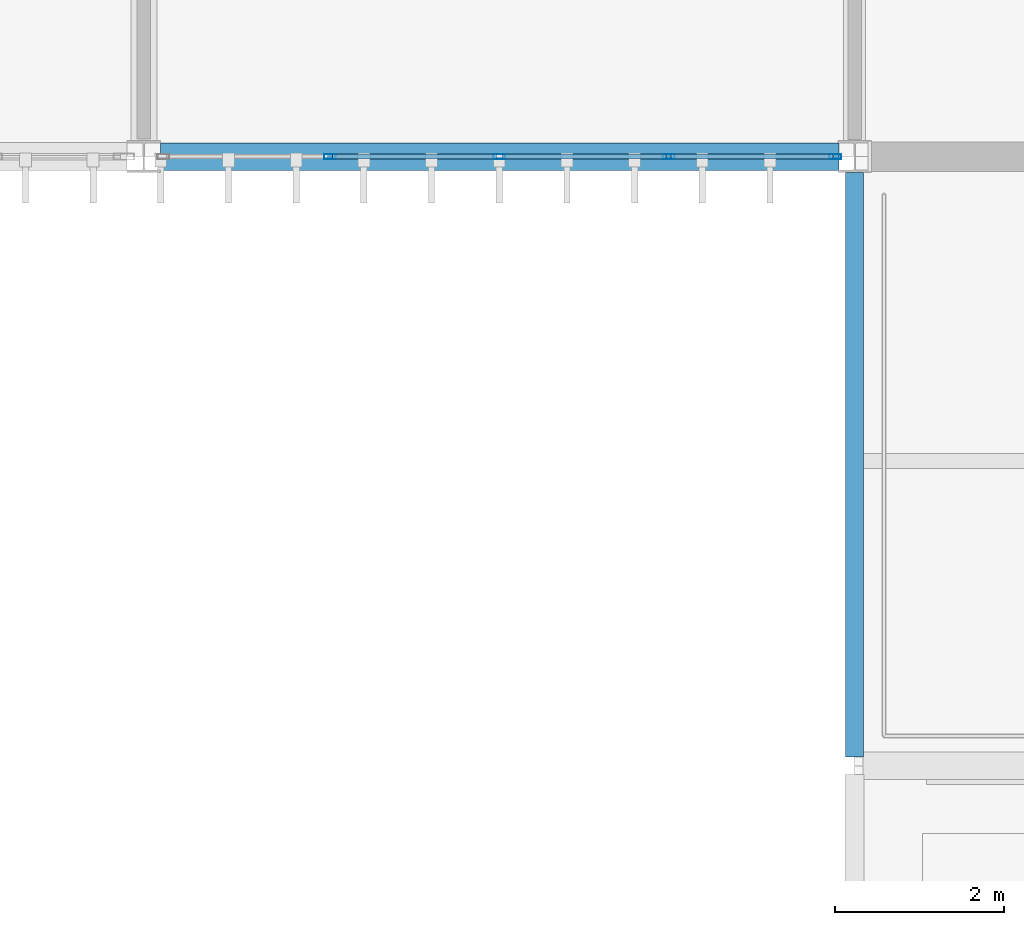
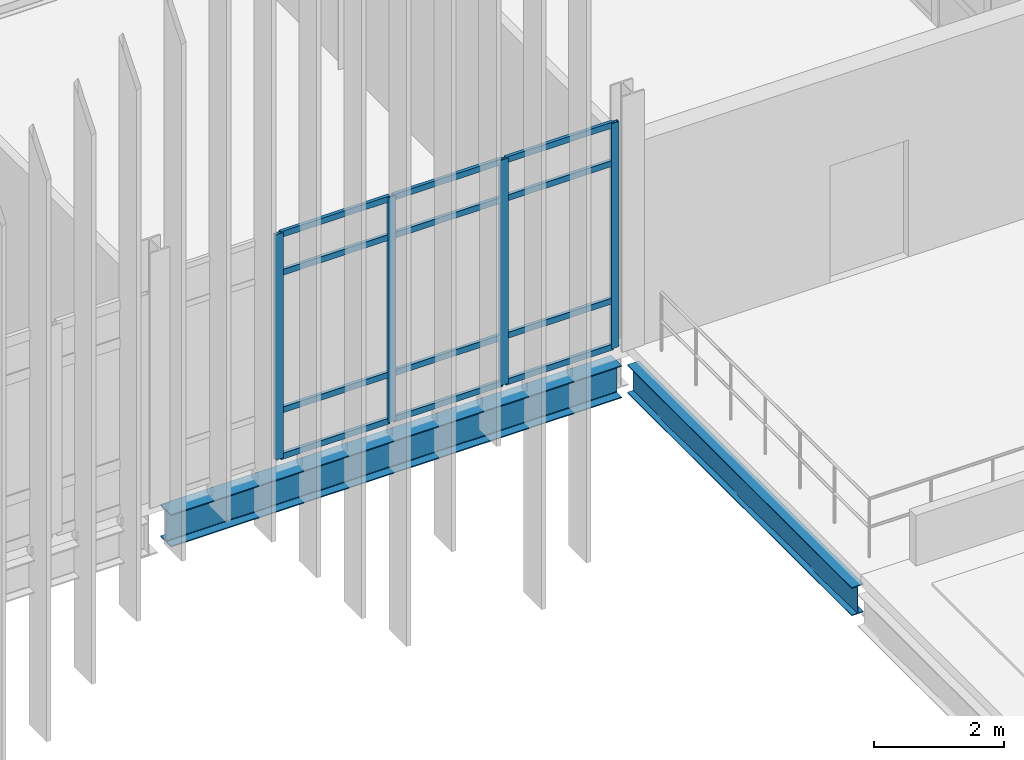
# One storey, part 35 of 153: 16 members, 2 beams, 1 element without a shape of its own.
"""IFC4 building model written with IfcOpenShell, lengths in metres."""

from ifc_helpers import new_model, si_unit, direction, frame, origin, origin_2d, place, context, subcontext, project, spatial, hollow_rectangle, i_section, extrude, material, layer, layer_set, material_profile, profile_set, type_object, element, aggregate, save


model = new_model("IFC4")

# Units and contexts
model_context = context("Model", 3, precision=1e-05, world=origin(), true_north=direction((0.0, 1.0)))
body_context = subcontext(model_context, "Body", "Model", "MODEL_VIEW")
ifc_project = project(units=[si_unit("LENGTHUNIT", "METRE"), si_unit("AREAUNIT", "SQUARE_METRE"), si_unit("VOLUMEUNIT", "CUBIC_METRE"), si_unit("PLANEANGLEUNIT", "RADIAN"), si_unit("MASSUNIT", "GRAM", prefix="KILO")], contexts=[model_context])

# Site, building, storey
site_placement = place(None, origin())
site = spatial("IfcSite", under=ifc_project, at=site_placement, CompositionType="ELEMENT")
building_placement = place(site_placement, origin())
building = spatial("IfcBuilding", under=site, at=building_placement, Name="Calvrana Isthmian Art Gallery", CompositionType="ELEMENT")
storey_placement = place(building_placement, frame((0.0, 0.0, 10.199951171875)))
storey = spatial("IfcBuildingStorey", under=building, at=storey_placement, Name="L02", CompositionType="ELEMENT", Elevation=10.199951171875)

# Beams
ifc_material_1 = material(Name="Steel ASTM A992 Gr 50", Category="steel")
ifc_material_profile_1 = material_profile(ifc_material_1, i_section(OverallWidth=0.208984375, OverallDepth=0.532958984375, WebThickness=0.01025390625, FlangeThickness=0.015625, FilletRadius=0.02099609375, at=origin_2d()), Name="W21X62")
ifc_profile_set_1 = profile_set([ifc_material_profile_1], Name="Steel ASTM A992 Gr 50")
beam_type_1 = type_object("IfcBeamType", Name="BM-G-W21X62", PredefinedType="BEAM", material=ifc_profile_set_1)
beam_1_placement = place(storey_placement, frame((72.0, 14.501708984375, -0.531494140625), z_axis=(0.0, 1.0, 0.0), x_axis=(-1.0, 0.0, 0.0)))
element("IfcBeam", 1, at=beam_1_placement, inside=storey, type_object=beam_type_1, Name="Girder Y L02 10/C-D", PredefinedType="BEAM", context=body_context, shape_type="SweptSolid", body=[
    extrude(i_section(OverallWidth=0.208984375, OverallDepth=0.532958984375, WebThickness=0.01025390625, FlangeThickness=0.015625, FilletRadius=0.02099609375, at=origin_2d()), origin(), (0.0, 0.0, 1.0), 6.911865234375),
])
ifc_material_profile_2 = material_profile(ifc_material_1, i_section(OverallWidth=0.324951171875, OverallDepth=0.612060546875, WebThickness=0.0126953125, FlangeThickness=0.01904296875, FilletRadius=0.02197265625, at=origin_2d()), Name="W24X104")
ifc_profile_set_2 = profile_set([ifc_material_profile_2], Name="Steel ASTM A992 Gr 50")
beam_type_2 = type_object("IfcBeamType", Name="BM-G-W24X104", PredefinedType="BEAM", material=ifc_profile_set_2)
beam_2_placement = place(storey_placement, frame((63.797119140625, 21.60009765625, -0.571044921875), z_axis=(1.0, 0.0, 0.0), x_axis=(0.0, 1.0, 0.0)))
element("IfcBeam", 2, at=beam_2_placement, inside=storey, type_object=beam_type_2, Name="Girder X L02 09-10/D", PredefinedType="BEAM", context=body_context, shape_type="SweptSolid", body=[
    extrude(i_section(OverallWidth=0.324951171875, OverallDepth=0.612060546875, WebThickness=0.0126953125, FlangeThickness=0.01904296875, FilletRadius=0.02197265625, at=origin_2d()), origin(), (0.0, 0.0, 1.0), 8.016357421875),
])

# Curtain wall, members
ifc_material_2 = material(Name="Anodized bronze aluminium 6063-T6", Category="aluminium")
ifc_layer = layer(ifc_material_2, 0.179931640625, Name="Anodized bronze aluminium 6063-T6")
ifc_layer_set = layer_set([ifc_layer], Name="Anodized bronze aluminium 6063-T6")
curtain_wall_type = type_object("IfcCurtainWallType", Name="CW-UNIT-080X42", PredefinedType="USERDEFINED", material=ifc_layer_set)
curtain_wall_placement = place(storey_placement, origin())
curtain_wall = element("IfcCurtainWall", 3, at=curtain_wall_placement, inside=storey, type_object=curtain_wall_type, Name="Curtain wall CW-150", ObjectType="UNITISED CURTAIN WALL", PredefinedType="USERDEFINED")
ifc_material_profile_3 = material_profile(ifc_material_2, hollow_rectangle(XDim=0.06005859375, YDim=0.139892578125, WallThickness=0.00390625, at=origin_2d()), Name="CWM60X140")
ifc_profile_set_3 = profile_set([ifc_material_profile_3], Name="Anodized bronze aluminium 6063-T6")
member_type_1 = type_object("IfcMemberType", Name="CWM-CWM60X140", PredefinedType="MULLION", material=ifc_profile_set_3)
member_1_placement = place(storey_placement, frame((71.77294921875, 21.60009765625, 0.0), z_axis=(0.0, 0.0, 1.0), x_axis=(0.0, -1.0, 0.0)))
member_1 = element("IfcMember", 4, at=member_1_placement, type_object=member_type_1, Name="CW-150 mullion 1", PredefinedType="MULLION", context=body_context, shape_type="SweptSolid", body=[
    extrude(hollow_rectangle(XDim=0.06005859375, YDim=0.139892578125, WallThickness=0.00390625, at=origin_2d()), origin(), (0.0, 0.0, 1.0), 4.2353515625),
])
member_2_placement = place(storey_placement, frame((69.8017578125, 21.60009765625, 0.0), z_axis=(0.0, 0.0, 1.0), x_axis=(0.0, -1.0, 0.0)))
member_2 = element("IfcMember", 5, at=member_2_placement, type_object=member_type_1, Name="CW-150 mullion 2", PredefinedType="MULLION", context=body_context, shape_type="SweptSolid", body=[
    extrude(hollow_rectangle(XDim=0.06005859375, YDim=0.139892578125, WallThickness=0.00390625, at=origin_2d()), origin(), (0.0, 0.0, 1.0), 4.2353515625),
])
member_3_placement = place(storey_placement, frame((67.800537109375, 21.60009765625, 0.0), z_axis=(0.0, 0.0, 1.0), x_axis=(0.0, -1.0, 0.0)))
member_3 = element("IfcMember", 6, at=member_3_placement, type_object=member_type_1, Name="CW-150 mullion 3", PredefinedType="MULLION", context=body_context, shape_type="SweptSolid", body=[
    extrude(hollow_rectangle(XDim=0.06005859375, YDim=0.139892578125, WallThickness=0.00390625, at=origin_2d()), origin(), (0.0, 0.0, 1.0), 4.2353515625),
])
member_4_placement = place(storey_placement, frame((65.79931640625, 21.60009765625, 0.0), z_axis=(0.0, 0.0, 1.0), x_axis=(0.0, -1.0, 0.0)))
member_4 = element("IfcMember", 7, at=member_4_placement, type_object=member_type_1, Name="CW-150 mullion 4", PredefinedType="MULLION", context=body_context, shape_type="SweptSolid", body=[
    extrude(hollow_rectangle(XDim=0.06005859375, YDim=0.139892578125, WallThickness=0.00390625, at=origin_2d()), origin(), (0.0, 0.0, 1.0), 4.2353515625),
])
ifc_material_profile_4 = material_profile(ifc_material_2, hollow_rectangle(XDim=0.06005859375, YDim=0.110107421875, WallThickness=0.00341796875, at=origin_2d()), Name="CWT60X110")
ifc_profile_set_4 = profile_set([ifc_material_profile_4], Name="Anodized bronze aluminium 6063-T6")
member_type_2 = type_object("IfcMemberType", Name="CWT-CWT60X110", PredefinedType="USERDEFINED", material=ifc_profile_set_4)
member_5_placement = place(storey_placement, frame((71.742919921875, 21.60009765625, 0.030029296875), z_axis=(-1.0, 0.0, 0.0), x_axis=(0.0, -1.0, 0.0)))
member_5 = element("IfcMember", 8, at=member_5_placement, type_object=member_type_2, Name="CW-150 transom 1.1", ObjectType="TRANSOM", PredefinedType="USERDEFINED", context=body_context, shape_type="SweptSolid", body=[
    extrude(hollow_rectangle(XDim=0.06005859375, YDim=0.110107421875, WallThickness=0.00341796875, at=origin_2d()), origin(), (0.0, 0.0, 1.0), 1.9111328125),
])
member_6_placement = place(storey_placement, frame((71.742919921875, 21.60009765625, 0.900146484375), z_axis=(-1.0, 0.0, 0.0), x_axis=(0.0, -1.0, 0.0)))
member_6 = element("IfcMember", 9, at=member_6_placement, type_object=member_type_2, Name="CW-150 transom 1.2", ObjectType="TRANSOM", PredefinedType="USERDEFINED", context=body_context, shape_type="SweptSolid", body=[
    extrude(hollow_rectangle(XDim=0.06005859375, YDim=0.110107421875, WallThickness=0.00341796875, at=origin_2d()), origin(), (0.0, 0.0, 1.0), 1.9111328125),
])
member_7_placement = place(storey_placement, frame((71.742919921875, 21.60009765625, 3.4853515625), z_axis=(-1.0, 0.0, 0.0), x_axis=(0.0, -1.0, 0.0)))
member_7 = element("IfcMember", 10, at=member_7_placement, type_object=member_type_2, Name="CW-150 transom 1.3", ObjectType="TRANSOM", PredefinedType="USERDEFINED", context=body_context, shape_type="SweptSolid", body=[
    extrude(hollow_rectangle(XDim=0.06005859375, YDim=0.110107421875, WallThickness=0.00341796875, at=origin_2d()), origin(), (0.0, 0.0, 1.0), 1.9111328125),
])
member_8_placement = place(storey_placement, frame((71.742919921875, 21.60009765625, 4.205322265625), z_axis=(-1.0, 0.0, 0.0), x_axis=(0.0, -1.0, 0.0)))
member_8 = element("IfcMember", 11, at=member_8_placement, type_object=member_type_2, Name="CW-150 transom 1.4", ObjectType="TRANSOM", PredefinedType="USERDEFINED", context=body_context, shape_type="SweptSolid", body=[
    extrude(hollow_rectangle(XDim=0.06005859375, YDim=0.110107421875, WallThickness=0.00341796875, at=origin_2d()), origin(), (0.0, 0.0, 1.0), 1.9111328125),
])
member_9_placement = place(storey_placement, frame((69.771728515625, 21.60009765625, 0.030029296875), z_axis=(-1.0, 0.0, 0.0), x_axis=(0.0, -1.0, 0.0)))
member_9 = element("IfcMember", 12, at=member_9_placement, type_object=member_type_2, Name="CW-150 transom 2.1", ObjectType="TRANSOM", PredefinedType="USERDEFINED", context=body_context, shape_type="SweptSolid", body=[
    extrude(hollow_rectangle(XDim=0.06005859375, YDim=0.110107421875, WallThickness=0.00341796875, at=origin_2d()), origin(), (0.0, 0.0, 1.0), 1.941162109375),
])
member_10_placement = place(storey_placement, frame((69.771728515625, 21.60009765625, 0.900146484375), z_axis=(-1.0, 0.0, 0.0), x_axis=(0.0, -1.0, 0.0)))
member_10 = element("IfcMember", 13, at=member_10_placement, type_object=member_type_2, Name="CW-150 transom 2.2", ObjectType="TRANSOM", PredefinedType="USERDEFINED", context=body_context, shape_type="SweptSolid", body=[
    extrude(hollow_rectangle(XDim=0.06005859375, YDim=0.110107421875, WallThickness=0.00341796875, at=origin_2d()), origin(), (0.0, 0.0, 1.0), 1.941162109375),
])
member_11_placement = place(storey_placement, frame((69.771728515625, 21.60009765625, 3.4853515625), z_axis=(-1.0, 0.0, 0.0), x_axis=(0.0, -1.0, 0.0)))
member_11 = element("IfcMember", 14, at=member_11_placement, type_object=member_type_2, Name="CW-150 transom 2.3", ObjectType="TRANSOM", PredefinedType="USERDEFINED", context=body_context, shape_type="SweptSolid", body=[
    extrude(hollow_rectangle(XDim=0.06005859375, YDim=0.110107421875, WallThickness=0.00341796875, at=origin_2d()), origin(), (0.0, 0.0, 1.0), 1.941162109375),
])
member_12_placement = place(storey_placement, frame((69.771728515625, 21.60009765625, 4.205322265625), z_axis=(-1.0, 0.0, 0.0), x_axis=(0.0, -1.0, 0.0)))
member_12 = element("IfcMember", 15, at=member_12_placement, type_object=member_type_2, Name="CW-150 transom 2.4", ObjectType="TRANSOM", PredefinedType="USERDEFINED", context=body_context, shape_type="SweptSolid", body=[
    extrude(hollow_rectangle(XDim=0.06005859375, YDim=0.110107421875, WallThickness=0.00341796875, at=origin_2d()), origin(), (0.0, 0.0, 1.0), 1.941162109375),
])
member_13_placement = place(storey_placement, frame((67.7705078125, 21.60009765625, 0.030029296875), z_axis=(-1.0, 0.0, 0.0), x_axis=(0.0, -1.0, 0.0)))
member_13 = element("IfcMember", 16, at=member_13_placement, type_object=member_type_2, Name="CW-150 transom 3.1", ObjectType="TRANSOM", PredefinedType="USERDEFINED", context=body_context, shape_type="SweptSolid", body=[
    extrude(hollow_rectangle(XDim=0.06005859375, YDim=0.110107421875, WallThickness=0.00341796875, at=origin_2d()), origin(), (0.0, 0.0, 1.0), 1.941162109375),
])
member_14_placement = place(storey_placement, frame((67.7705078125, 21.60009765625, 0.900146484375), z_axis=(-1.0, 0.0, 0.0), x_axis=(0.0, -1.0, 0.0)))
member_14 = element("IfcMember", 17, at=member_14_placement, type_object=member_type_2, Name="CW-150 transom 3.2", ObjectType="TRANSOM", PredefinedType="USERDEFINED", context=body_context, shape_type="SweptSolid", body=[
    extrude(hollow_rectangle(XDim=0.06005859375, YDim=0.110107421875, WallThickness=0.00341796875, at=origin_2d()), origin(), (0.0, 0.0, 1.0), 1.941162109375),
])
member_15_placement = place(storey_placement, frame((67.7705078125, 21.60009765625, 3.4853515625), z_axis=(-1.0, 0.0, 0.0), x_axis=(0.0, -1.0, 0.0)))
member_15 = element("IfcMember", 18, at=member_15_placement, type_object=member_type_2, Name="CW-150 transom 3.3", ObjectType="TRANSOM", PredefinedType="USERDEFINED", context=body_context, shape_type="SweptSolid", body=[
    extrude(hollow_rectangle(XDim=0.06005859375, YDim=0.110107421875, WallThickness=0.00341796875, at=origin_2d()), origin(), (0.0, 0.0, 1.0), 1.941162109375),
])
member_16_placement = place(storey_placement, frame((67.7705078125, 21.60009765625, 4.205322265625), z_axis=(-1.0, 0.0, 0.0), x_axis=(0.0, -1.0, 0.0)))
member_16 = element("IfcMember", 19, at=member_16_placement, type_object=member_type_2, Name="CW-150 transom 3.4", ObjectType="TRANSOM", PredefinedType="USERDEFINED", context=body_context, shape_type="SweptSolid", body=[
    extrude(hollow_rectangle(XDim=0.06005859375, YDim=0.110107421875, WallThickness=0.00341796875, at=origin_2d()), origin(), (0.0, 0.0, 1.0), 1.941162109375),
])
aggregate(curtain_wall, [member_1, member_2, member_3, member_4, member_5, member_6, member_7, member_8, member_9, member_10, member_11, member_12, member_13, member_14, member_15, member_16])

save(model, "model.ifc")
